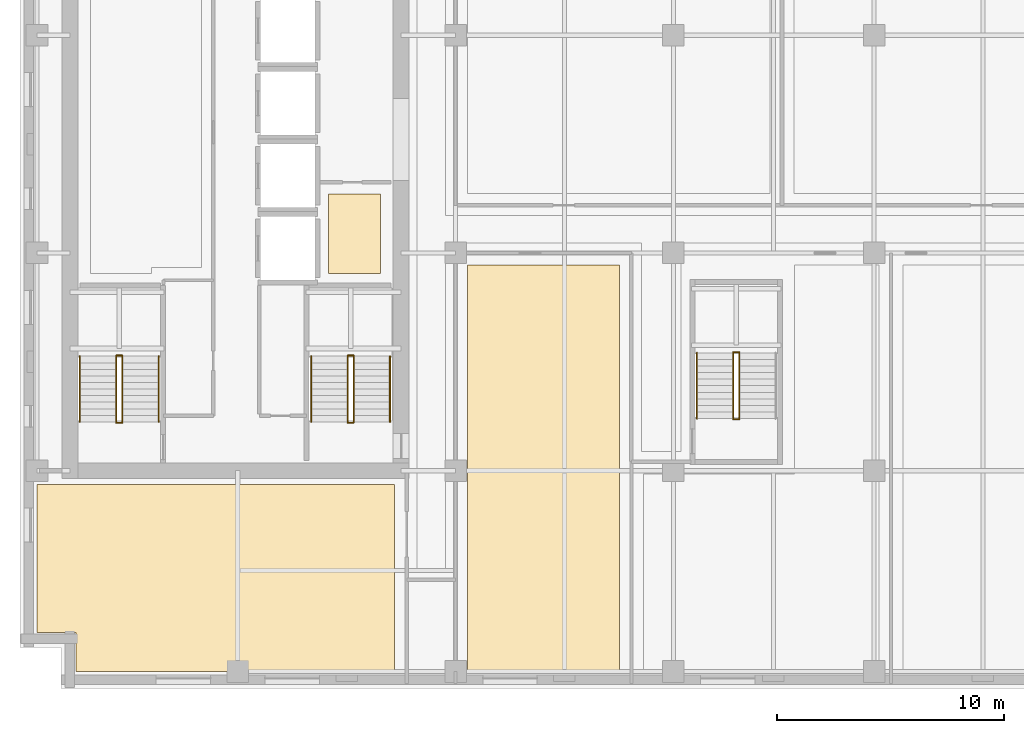
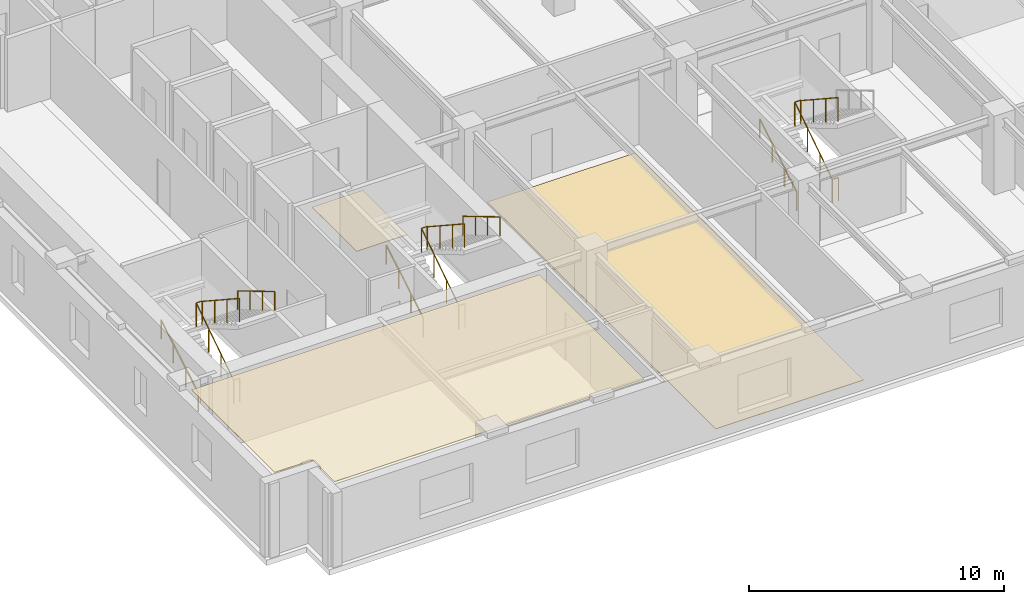
# One storey, part 9 of 13: 17 railings, 3 coverings.
"""IFC4 building model written with IfcOpenShell, lengths in metres."""

from ifc_helpers import new_model, si_unit, direction, frame, origin, origin_2d, place, context, subcontext, project, spatial, polyline, circle, outline, extrude, material, layer, layer_set, type_object, element, save


model = new_model("IFC4")

# Units and contexts
model_context = context("Model", 3, precision=1e-05, world=origin(), true_north=direction((0.0, 1.0)))
body_context = subcontext(model_context, "Body", "Model", "MODEL_VIEW")
ifc_project = project(units=[si_unit("LENGTHUNIT", "METRE"), si_unit("AREAUNIT", "SQUARE_METRE"), si_unit("VOLUMEUNIT", "CUBIC_METRE"), si_unit("PLANEANGLEUNIT", "RADIAN"), si_unit("MASSUNIT", "GRAM", prefix="KILO")], contexts=[model_context])

# Site, building, storey
site_placement = place(None, origin())
site = spatial("IfcSite", under=ifc_project, at=site_placement, CompositionType="ELEMENT")
building_placement = place(site_placement, origin())
building = spatial("IfcBuilding", under=site, at=building_placement, Name="Norrvale University Quadrangle", CompositionType="ELEMENT")
storey_placement = place(building_placement, frame((0.0, 0.0, 159.800048828125)))
storey = spatial("IfcBuildingStorey", under=building, at=storey_placement, Name="L40", CompositionType="ELEMENT", Elevation=159.800048828125)

# Coverings
ifc_material_1 = material(Name="Perforated Acoustic Mineral Ceiling")
ifc_layer_1 = layer(ifc_material_1, 0.02490234375, Name="Perforated Acoustic Mineral Ceiling")
ifc_layer_set_1 = layer_set([ifc_layer_1], Name="Perforated Acoustic Mineral Ceiling")
covering_type_1 = type_object("IfcCoveringType", Name="Covering Acoustic Ceiling 25", PredefinedType="CEILING", material=ifc_layer_set_1)
covering_1_placement = place(storey_placement, frame((0.0, 0.0, 3.514892578125)))
element("IfcCovering", 1, at=covering_1_placement, inside=storey, type_object=covering_type_1, Name="Acoustic Ceiling RM-L40-SW1", PredefinedType="CEILING", context=body_context, shape_type="SweptSolid", body=[
    extrude(outline(polyline([(0.75, 9.0), (16.5, 9.0), (16.5, 0.75), (2.469970703125, 0.75), (2.469970703125, 2.469970703125), (0.75, 2.469970703125), (0.75, 9.0)])), origin(), (0.0, 0.0, 1.0), 0.025146484375),
])
ifc_material_2 = material(Name="Polished Terrazzo Flooring")
ifc_layer_2 = layer(ifc_material_2, 0.02490234375, Name="Polished Terrazzo Flooring")
ifc_layer_set_2 = layer_set([ifc_layer_2], Name="Polished Terrazzo Flooring")
covering_type_2 = type_object("IfcCoveringType", Name="Covering Terrazzo Floor 30", PredefinedType="FLOORING", material=ifc_layer_set_2)
covering_2_placement = place(storey_placement, origin())
element("IfcCovering", 2, at=covering_2_placement, inside=storey, type_object=covering_type_2, Name="Terrazzo Flooring RM-L40-JAN", PredefinedType="FLOORING", context=body_context, shape_type="SweptSolid", body=[
    extrude(outline(polyline([(13.60009765625, 18.300048828125), (13.60009765625, 21.800048828125), (15.89990234375, 21.800048828125), (15.89990234375, 18.300048828125), (13.60009765625, 18.300048828125)])), origin(), (0.0, 0.0, 1.0), 0.02490234375),
])
covering_3_placement = place(storey_placement, origin())
element("IfcCovering", 3, at=covering_3_placement, inside=storey, type_object=covering_type_2, Name="Terrazzo Flooring RM-L40-SE1", PredefinedType="FLOORING", context=body_context, shape_type="SweptSolid", body=[
    extrude(outline(polyline([(19.72998046875, 18.669921875), (26.419921875, 18.669921875), (26.419921875, 0.75), (19.72998046875, 0.75), (19.72998046875, 18.669921875)])), origin(), (0.0, 0.0, 1.0), 0.02490234375),
])

# Railings
ifc_material_3 = material(Name="Steel 350W Painted Balustrade", Category="steel")
railing_type_1 = type_object("IfcRailingType", Name="Railing Stair Guard 1100", PredefinedType="GUARDRAIL", material=ifc_material_3)
for number, where, name in (
    (4, (4.239990234375, 11.719970703125, 0.0), "Stair Floor Well Guard ST-01 L40"),
    (5, (4.239990234375, 14.679931640625, 1.89990234375), "Stair Mid-Landing Slot Guard ST-01 L40"),
):
    element("IfcRailing", number, at=place(storey_placement, frame(where)), inside=storey, type_object=railing_type_1, Name=name, PredefinedType="GUARDRAIL", context=body_context, shape_type="SweptSolid", body=[
        extrude(circle(Radius=0.02392578125, at=origin_2d()), frame((0.0, 0.0, 1.1259765625), z_axis=(1.0, 0.0, 0.0), x_axis=(0.0, 1.0, 0.0)), (0.0, 0.0, 1.0), 0.27001953125),
        extrude(circle(Radius=0.02099609375, at=origin_2d()), origin(), (0.0, 0.0, 1.0), 1.101806640625),
        extrude(circle(Radius=0.02099609375, at=origin_2d()), frame((0.27001953125, 0.0, 0.0)), (0.0, 0.0, 1.0), 1.101806640625),
    ])
railing_1_placement = place(storey_placement, frame((4.239990234375, 11.75, 0.0)))
element("IfcRailing", 6, at=railing_1_placement, inside=storey, type_object=railing_type_1, Name="Stair Lower Flight Inner Guard ST-01 L40", PredefinedType="GUARDRAIL", context=body_context, shape_type="SweptSolid", body=[
    extrude(circle(Radius=0.02392578125, at=origin_2d()), frame((0.0, 0.0, 1.1259765625), z_axis=(0.0, 0.836465582154, 0.548019461216), x_axis=(-1.0, 0.0, 0.0)), (0.0, 0.0, 1.0), 3.466796875),
    extrude(circle(Radius=0.02099609375, at=origin_2d()), origin(), (0.0, 0.0, 1.0), 1.101806640625),
    extrude(circle(Radius=0.02099609375, at=origin_2d()), frame((0.0, 0.966552734375, 0.63330078125)), (0.0, 0.0, 1.0), 1.101806640625),
    extrude(circle(Radius=0.02099609375, at=origin_2d()), frame((0.0, 1.933349609375, 1.2666015625)), (0.0, 0.0, 1.0), 1.101806640625),
    extrude(circle(Radius=0.02099609375, at=origin_2d()), frame((0.0, 2.89990234375, 1.89990234375)), (0.0, 0.0, 1.0), 1.101806640625),
])
railing_2_placement = place(storey_placement, frame((4.510009765625, 14.64990234375, 1.89990234375)))
element("IfcRailing", 7, at=railing_2_placement, inside=storey, type_object=railing_type_1, Name="Stair Upper Flight Inner Guard ST-01 L40", PredefinedType="GUARDRAIL", context=body_context, shape_type="SweptSolid", body=[
    extrude(circle(Radius=0.02392578125, at=origin_2d()), frame((0.0, 0.0, 1.1259765625), z_axis=(0.0, -0.836433300813, 0.548068730445), x_axis=(1.0, 0.0, 0.0)), (0.0, 0.0, 1.0), 3.467041015625),
    extrude(circle(Radius=0.02099609375, at=origin_2d()), origin(), (0.0, 0.0, 1.0), 1.101806640625),
    extrude(circle(Radius=0.02099609375, at=origin_2d()), frame((0.0, -0.966552734375, 0.63330078125)), (0.0, 0.0, 1.0), 1.101806640625),
    extrude(circle(Radius=0.02099609375, at=origin_2d()), frame((0.0, -1.933349609375, 1.266845703125)), (0.0, 0.0, 1.0), 1.101806640625),
    extrude(circle(Radius=0.02099609375, at=origin_2d()), frame((0.0, -2.89990234375, 1.900146484375)), (0.0, 0.0, 1.0), 1.101806640625),
])
for number, where, name in (
    (8, (14.43994140625, 11.719970703125, 0.0), "Stair Floor Well Guard ST-03 L40"),
    (9, (14.43994140625, 14.679931640625, 1.89990234375), "Stair Mid-Landing Slot Guard ST-03 L40"),
):
    element("IfcRailing", number, at=place(storey_placement, frame(where)), inside=storey, type_object=railing_type_1, Name=name, PredefinedType="GUARDRAIL", context=body_context, shape_type="SweptSolid", body=[
        extrude(circle(Radius=0.02392578125, at=origin_2d()), frame((0.0, 0.0, 1.1259765625), z_axis=(1.0, 0.0, 0.0), x_axis=(0.0, 1.0, 0.0)), (0.0, 0.0, 1.0), 0.27001953125),
        extrude(circle(Radius=0.02099609375, at=origin_2d()), origin(), (0.0, 0.0, 1.0), 1.101806640625),
        extrude(circle(Radius=0.02099609375, at=origin_2d()), frame((0.27001953125, 0.0, 0.0)), (0.0, 0.0, 1.0), 1.101806640625),
    ])
railing_3_placement = place(storey_placement, frame((14.43994140625, 11.75, 0.0)))
element("IfcRailing", 10, at=railing_3_placement, inside=storey, type_object=railing_type_1, Name="Stair Lower Flight Inner Guard ST-03 L40", PredefinedType="GUARDRAIL", context=body_context, shape_type="SweptSolid", body=[
    extrude(circle(Radius=0.02392578125, at=origin_2d()), frame((0.0, 0.0, 1.1259765625), z_axis=(0.0, 0.836465582154, 0.548019461216), x_axis=(-1.0, 0.0, 0.0)), (0.0, 0.0, 1.0), 3.466796875),
    extrude(circle(Radius=0.02099609375, at=origin_2d()), origin(), (0.0, 0.0, 1.0), 1.101806640625),
    extrude(circle(Radius=0.02099609375, at=origin_2d()), frame((0.0, 0.966552734375, 0.63330078125)), (0.0, 0.0, 1.0), 1.101806640625),
    extrude(circle(Radius=0.02099609375, at=origin_2d()), frame((0.0, 1.933349609375, 1.2666015625)), (0.0, 0.0, 1.0), 1.101806640625),
    extrude(circle(Radius=0.02099609375, at=origin_2d()), frame((0.0, 2.89990234375, 1.89990234375)), (0.0, 0.0, 1.0), 1.101806640625),
])
railing_4_placement = place(storey_placement, frame((14.7099609375, 14.64990234375, 1.89990234375)))
element("IfcRailing", 11, at=railing_4_placement, inside=storey, type_object=railing_type_1, Name="Stair Upper Flight Inner Guard ST-03 L40", PredefinedType="GUARDRAIL", context=body_context, shape_type="SweptSolid", body=[
    extrude(circle(Radius=0.02392578125, at=origin_2d()), frame((0.0, 0.0, 1.1259765625), z_axis=(0.0, -0.836433300813, 0.548068730445), x_axis=(1.0, 0.0, 0.0)), (0.0, 0.0, 1.0), 3.467041015625),
    extrude(circle(Radius=0.02099609375, at=origin_2d()), origin(), (0.0, 0.0, 1.0), 1.101806640625),
    extrude(circle(Radius=0.02099609375, at=origin_2d()), frame((0.0, -0.966552734375, 0.63330078125)), (0.0, 0.0, 1.0), 1.101806640625),
    extrude(circle(Radius=0.02099609375, at=origin_2d()), frame((0.0, -1.933349609375, 1.266845703125)), (0.0, 0.0, 1.0), 1.101806640625),
    extrude(circle(Radius=0.02099609375, at=origin_2d()), frame((0.0, -2.89990234375, 1.900146484375)), (0.0, 0.0, 1.0), 1.101806640625),
])
for number, where, name in (
    (12, (31.43994140625, 11.8701171875, 0.0), "Stair Floor Well Guard ST-04 L40"),
    (13, (31.43994140625, 14.830078125, 1.89990234375), "Stair Mid-Landing Slot Guard ST-04 L40"),
):
    element("IfcRailing", number, at=place(storey_placement, frame(where)), inside=storey, type_object=railing_type_1, Name=name, PredefinedType="GUARDRAIL", context=body_context, shape_type="SweptSolid", body=[
        extrude(circle(Radius=0.02392578125, at=origin_2d()), frame((0.0, 0.0, 1.1259765625), z_axis=(1.0, 0.0, 0.0), x_axis=(0.0, 1.0, 0.0)), (0.0, 0.0, 1.0), 0.27001953125),
        extrude(circle(Radius=0.02099609375, at=origin_2d()), origin(), (0.0, 0.0, 1.0), 1.101806640625),
        extrude(circle(Radius=0.02099609375, at=origin_2d()), frame((0.27001953125, 0.0, 0.0)), (0.0, 0.0, 1.0), 1.101806640625),
    ])
railing_5_placement = place(storey_placement, frame((31.43994140625, 11.89990234375, 0.0)))
element("IfcRailing", 14, at=railing_5_placement, inside=storey, type_object=railing_type_1, Name="Stair Lower Flight Inner Guard ST-04 L40", PredefinedType="GUARDRAIL", context=body_context, shape_type="SweptSolid", body=[
    extrude(circle(Radius=0.02392578125, at=origin_2d()), frame((0.0, 0.0, 1.1259765625), z_axis=(0.0, 0.836486729621, 0.547987181573), x_axis=(-1.0, 0.0, 0.0)), (0.0, 0.0, 1.0), 3.467041015625),
    extrude(circle(Radius=0.02099609375, at=origin_2d()), origin(), (0.0, 0.0, 1.0), 1.101806640625),
    extrude(circle(Radius=0.02099609375, at=origin_2d()), frame((0.0, 0.966796875, 0.63330078125)), (0.0, 0.0, 1.0), 1.101806640625),
    extrude(circle(Radius=0.02099609375, at=origin_2d()), frame((0.0, 1.933349609375, 1.2666015625)), (0.0, 0.0, 1.0), 1.101806640625),
    extrude(circle(Radius=0.02099609375, at=origin_2d()), frame((0.0, 2.900146484375, 1.89990234375)), (0.0, 0.0, 1.0), 1.101806640625),
])
railing_6_placement = place(storey_placement, frame((31.7099609375, 14.800048828125, 1.89990234375)))
element("IfcRailing", 15, at=railing_6_placement, inside=storey, type_object=railing_type_1, Name="Stair Upper Flight Inner Guard ST-04 L40", PredefinedType="GUARDRAIL", context=body_context, shape_type="SweptSolid", body=[
    extrude(circle(Radius=0.02392578125, at=origin_2d()), frame((0.0, 0.0, 1.1259765625), z_axis=(0.0, -0.836454451266, 0.548036450392), x_axis=(1.0, 0.0, 0.0)), (0.0, 0.0, 1.0), 3.46728515625),
    extrude(circle(Radius=0.02099609375, at=origin_2d()), origin(), (0.0, 0.0, 1.0), 1.101806640625),
    extrude(circle(Radius=0.02099609375, at=origin_2d()), frame((0.0, -0.966796875, 0.63330078125)), (0.0, 0.0, 1.0), 1.101806640625),
    extrude(circle(Radius=0.02099609375, at=origin_2d()), frame((0.0, -1.933349609375, 1.266845703125)), (0.0, 0.0, 1.0), 1.101806640625),
    extrude(circle(Radius=0.02099609375, at=origin_2d()), frame((0.0, -2.900146484375, 1.900146484375)), (0.0, 0.0, 1.0), 1.101806640625),
])
ifc_material_4 = material(Name="Stainless Steel 316L Handrail", Category="steel")
railing_type_2 = type_object("IfcRailingType", Name="Railing Stair Handrail 920", PredefinedType="HANDRAIL", material=ifc_material_4)
railing_7_placement = place(storey_placement, frame((2.639892578125, 11.75, 0.172607421875)))
element("IfcRailing", 16, at=railing_7_placement, inside=storey, type_object=railing_type_2, Name="Stair Lower Flight Handrail ST-01 L40", PredefinedType="HANDRAIL", context=body_context, shape_type="SweptSolid", body=[
    extrude(circle(Radius=0.02392578125, at=origin_2d()), frame((0.0, 0.0, 0.89599609375), z_axis=(0.0, 0.859141464434, 0.511738159696), x_axis=(-1.0, 0.0, 0.0)), (0.0, 0.0, 1.0), 3.375244140625),
    extrude(circle(Radius=0.02099609375, at=origin_2d()), origin(), (0.0, 0.0, 1.0), 0.871826171875),
    extrude(circle(Radius=0.02099609375, at=origin_2d()), frame((0.0, 0.966552734375, 0.57568359375)), (0.0, 0.0, 1.0), 0.871826171875),
    extrude(circle(Radius=0.02099609375, at=origin_2d()), frame((0.0, 1.933349609375, 1.151611328125)), (0.0, 0.0, 1.0), 0.871826171875),
    extrude(circle(Radius=0.02099609375, at=origin_2d()), frame((0.0, 2.89990234375, 1.727294921875)), (0.0, 0.0, 1.0), 0.871826171875),
])
railing_8_placement = place(storey_placement, frame((6.110107421875, 14.64990234375, 2.07275390625)))
element("IfcRailing", 17, at=railing_8_placement, inside=storey, type_object=railing_type_2, Name="Stair Upper Flight Handrail ST-01 L40", PredefinedType="HANDRAIL", context=body_context, shape_type="SweptSolid", body=[
    extrude(circle(Radius=0.02392578125, at=origin_2d()), frame((0.0, 0.0, 0.89599609375), z_axis=(0.0, -0.859141464434, 0.511738159696), x_axis=(1.0, 0.0, 0.0)), (0.0, 0.0, 1.0), 3.375244140625),
    extrude(circle(Radius=0.02099609375, at=origin_2d()), origin(), (0.0, 0.0, 1.0), 0.871826171875),
    extrude(circle(Radius=0.02099609375, at=origin_2d()), frame((0.0, -0.966552734375, 0.57568359375)), (0.0, 0.0, 1.0), 0.871826171875),
    extrude(circle(Radius=0.02099609375, at=origin_2d()), frame((0.0, -1.933349609375, 1.151611328125)), (0.0, 0.0, 1.0), 0.871826171875),
    extrude(circle(Radius=0.02099609375, at=origin_2d()), frame((0.0, -2.89990234375, 1.727294921875)), (0.0, 0.0, 1.0), 0.871826171875),
])
railing_9_placement = place(storey_placement, frame((12.840087890625, 11.75, 0.172607421875)))
element("IfcRailing", 18, at=railing_9_placement, inside=storey, type_object=railing_type_2, Name="Stair Lower Flight Handrail ST-03 L40", PredefinedType="HANDRAIL", context=body_context, shape_type="SweptSolid", body=[
    extrude(circle(Radius=0.02392578125, at=origin_2d()), frame((0.0, 0.0, 0.89599609375), z_axis=(0.0, 0.859141464434, 0.511738159696), x_axis=(-1.0, 0.0, 0.0)), (0.0, 0.0, 1.0), 3.375244140625),
    extrude(circle(Radius=0.02099609375, at=origin_2d()), origin(), (0.0, 0.0, 1.0), 0.871826171875),
    extrude(circle(Radius=0.02099609375, at=origin_2d()), frame((0.0, 0.966552734375, 0.57568359375)), (0.0, 0.0, 1.0), 0.871826171875),
    extrude(circle(Radius=0.02099609375, at=origin_2d()), frame((0.0, 1.933349609375, 1.151611328125)), (0.0, 0.0, 1.0), 0.871826171875),
    extrude(circle(Radius=0.02099609375, at=origin_2d()), frame((0.0, 2.89990234375, 1.727294921875)), (0.0, 0.0, 1.0), 0.871826171875),
])
railing_10_placement = place(storey_placement, frame((16.31005859375, 14.64990234375, 2.07275390625)))
element("IfcRailing", 19, at=railing_10_placement, inside=storey, type_object=railing_type_2, Name="Stair Upper Flight Handrail ST-03 L40", PredefinedType="HANDRAIL", context=body_context, shape_type="SweptSolid", body=[
    extrude(circle(Radius=0.02392578125, at=origin_2d()), frame((0.0, 0.0, 0.89599609375), z_axis=(0.0, -0.859141464434, 0.511738159696), x_axis=(1.0, 0.0, 0.0)), (0.0, 0.0, 1.0), 3.375244140625),
    extrude(circle(Radius=0.02099609375, at=origin_2d()), origin(), (0.0, 0.0, 1.0), 0.871826171875),
    extrude(circle(Radius=0.02099609375, at=origin_2d()), frame((0.0, -0.966552734375, 0.57568359375)), (0.0, 0.0, 1.0), 0.871826171875),
    extrude(circle(Radius=0.02099609375, at=origin_2d()), frame((0.0, -1.933349609375, 1.151611328125)), (0.0, 0.0, 1.0), 0.871826171875),
    extrude(circle(Radius=0.02099609375, at=origin_2d()), frame((0.0, -2.89990234375, 1.727294921875)), (0.0, 0.0, 1.0), 0.871826171875),
])
railing_11_placement = place(storey_placement, frame((29.840087890625, 11.89990234375, 0.172607421875)))
element("IfcRailing", 20, at=railing_11_placement, inside=storey, type_object=railing_type_2, Name="Stair Lower Flight Handrail ST-04 L40", PredefinedType="HANDRAIL", context=body_context, shape_type="SweptSolid", body=[
    extrude(circle(Radius=0.02392578125, at=origin_2d()), frame((0.0, 0.0, 0.89599609375), z_axis=(0.0, 0.859160404282, 0.51170636083), x_axis=(-1.0, 0.0, 0.0)), (0.0, 0.0, 1.0), 3.37548828125),
    extrude(circle(Radius=0.02099609375, at=origin_2d()), origin(), (0.0, 0.0, 1.0), 0.871826171875),
    extrude(circle(Radius=0.02099609375, at=origin_2d()), frame((0.0, 0.966796875, 0.57568359375)), (0.0, 0.0, 1.0), 0.871826171875),
    extrude(circle(Radius=0.02099609375, at=origin_2d()), frame((0.0, 1.933349609375, 1.151611328125)), (0.0, 0.0, 1.0), 0.871826171875),
    extrude(circle(Radius=0.02099609375, at=origin_2d()), frame((0.0, 2.900146484375, 1.727294921875)), (0.0, 0.0, 1.0), 0.871826171875),
])

save(model, "model.ifc")
